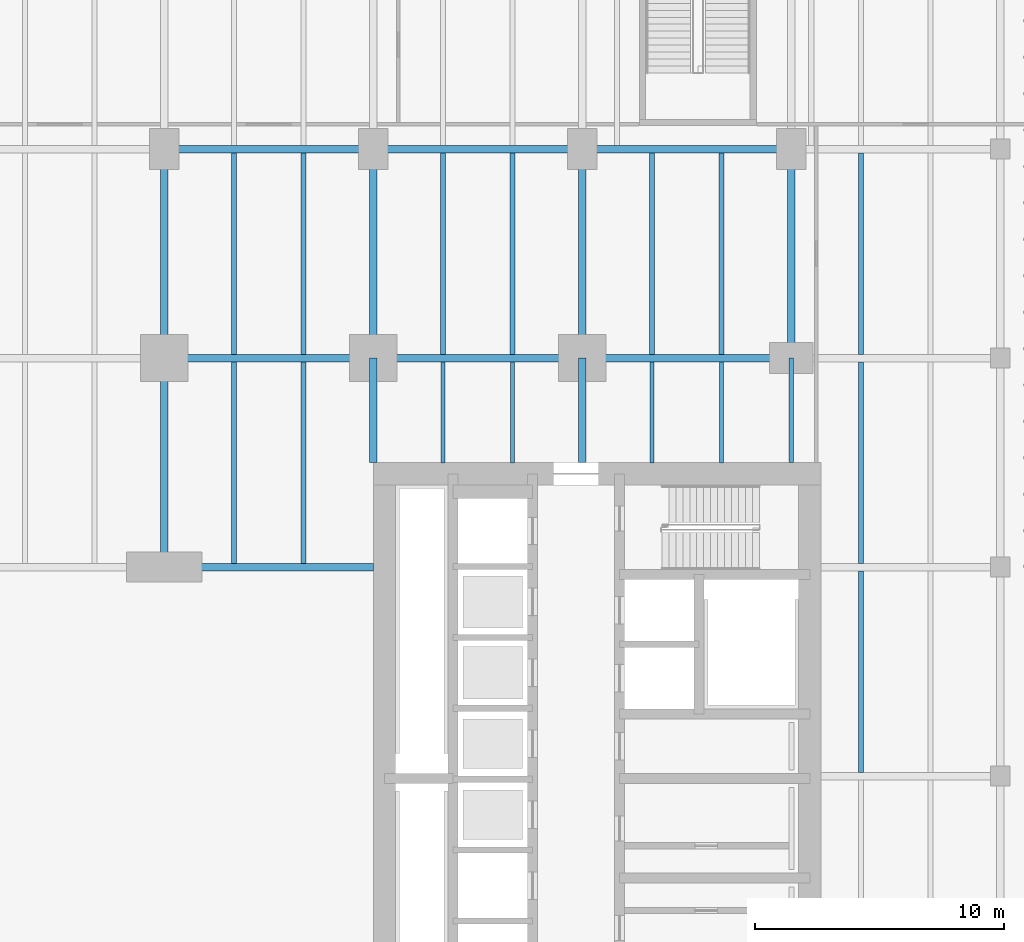
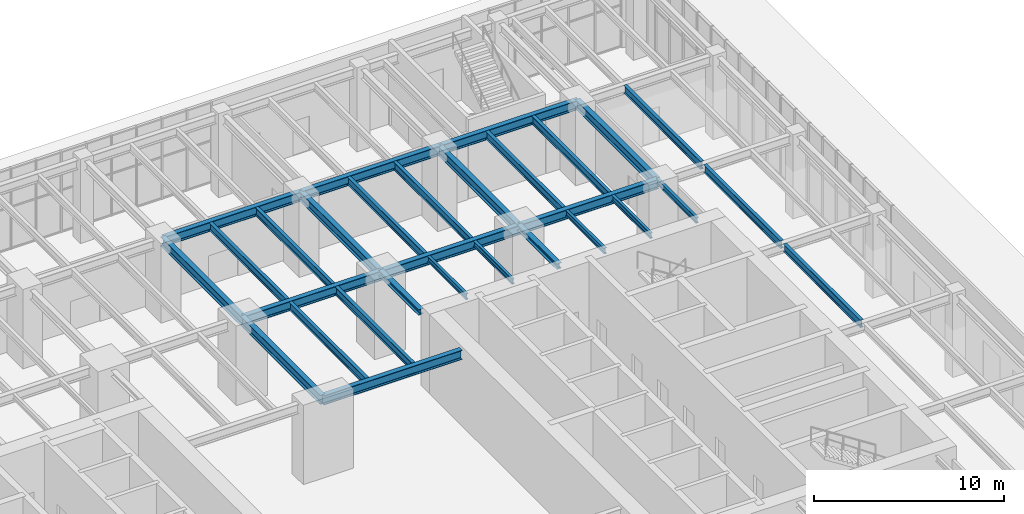
# One storey, part 8 of 31: 30 beams.
"""IFC4 building model written with IfcOpenShell, lengths in metres."""

from ifc_helpers import new_model, si_unit, direction, frame, origin, origin_2d, place, context, subcontext, project, spatial, i_section, extrude, material, material_profile, profile_set, type_object, element, save


model = new_model("IFC4")

# Units and contexts
model_context = context("Model", 3, precision=1e-05, world=origin(), true_north=direction((0.0, 1.0)))
body_context = subcontext(model_context, "Body", "Model", "MODEL_VIEW")
ifc_project = project(units=[si_unit("LENGTHUNIT", "METRE"), si_unit("AREAUNIT", "SQUARE_METRE"), si_unit("VOLUMEUNIT", "CUBIC_METRE"), si_unit("PLANEANGLEUNIT", "RADIAN"), si_unit("MASSUNIT", "GRAM", prefix="KILO")], contexts=[model_context])

# Site, building, storey
site_placement = place(None, origin())
site = spatial("IfcSite", under=ifc_project, at=site_placement, CompositionType="ELEMENT")
building_placement = place(site_placement, origin())
building = spatial("IfcBuilding", under=site, at=building_placement, Name="Claustro Exchange Tower", CompositionType="ELEMENT")
storey_placement = place(building_placement, origin())
storey = spatial("IfcBuildingStorey", under=building, at=storey_placement, Name="L00", CompositionType="ELEMENT", Elevation=0.0)

# Beams
ifc_material_1 = material(Name="Steel S355", Category="steel")
ifc_material_profile_1 = material_profile(ifc_material_1, i_section(OverallWidth=0.300048828125, OverallDepth=0.60009765625, WebThickness=0.015380859375, FlangeThickness=0.030029296875, FilletRadius=0.027099609375, at=origin_2d()), Name="HE 600 B")
ifc_profile_set_1 = profile_set([ifc_material_profile_1], Name="Steel S355")
beam_type_1 = type_object("IfcBeamType", Name="B1 HE 600 B floor girder", PredefinedType="BEAM", material=ifc_profile_set_1)
for number, where, z_axis, x_axis, name in (
    (1, (25.199951171875, 33.60009765625, 4.89990234375), (0.0, 1.0, 0.0), (-1.0, 0.0, 0.0), "Beam B1 L01"),
    (2, (25.199951171875, 42.0, 4.89990234375), (0.0, 1.0, 0.0), (-1.0, 0.0, 0.0), "Beam B1 L01"),
    (3, (33.60009765625, 42.0, 4.89990234375), (0.0, 1.0, 0.0), (-1.0, 0.0, 0.0), "Beam B1 L01"),
    (4, (42.0, 42.0, 4.89990234375), (0.0, 1.0, 0.0), (-1.0, 0.0, 0.0), "Beam B1 L01"),
    (5, (50.39990234375, 42.0, 4.89990234375), (0.0, 1.0, 0.0), (-1.0, 0.0, 0.0), "Beam B1 L01"),
):
    element("IfcBeam", number, at=place(storey_placement, frame(where, z_axis=z_axis, x_axis=x_axis)), inside=storey, type_object=beam_type_1, Name=name, PredefinedType="BEAM", context=body_context, shape_type="SweptSolid", body=[
        extrude(i_section(OverallWidth=0.300048828125, OverallDepth=0.60009765625, WebThickness=0.015380859375, FlangeThickness=0.030029296875, FilletRadius=0.027099609375, at=origin_2d()), origin(), (0.0, 0.0, 1.0), 8.39990234375),
    ])
for number, where, z_axis, x_axis, name in (
    (6, (25.199951171875, 33.60009765625, 4.89990234375), (1.0, 0.0, 0.0), (0.0, 1.0, 0.0), "Beam B1 L01"),
    (7, (25.199951171875, 42.0, 4.89990234375), (1.0, 0.0, 0.0), (0.0, 1.0, 0.0), "Beam B1 L01"),
):
    element("IfcBeam", number, at=place(storey_placement, frame(where, z_axis=z_axis, x_axis=x_axis)), inside=storey, type_object=beam_type_1, Name=name, PredefinedType="BEAM", context=body_context, shape_type="SweptSolid", body=[
        extrude(i_section(OverallWidth=0.300048828125, OverallDepth=0.60009765625, WebThickness=0.015380859375, FlangeThickness=0.030029296875, FilletRadius=0.027099609375, at=origin_2d()), origin(), (0.0, 0.0, 1.0), 8.400146484375),
    ])
for number, where, z_axis, x_axis, name in (
    (8, (33.60009765625, 42.0, 4.89990234375), (1.0, 0.0, 0.0), (0.0, 1.0, 0.0), "Beam B1 L01"),
    (9, (42.0, 42.0, 4.89990234375), (1.0, 0.0, 0.0), (0.0, 1.0, 0.0), "Beam B1 L01"),
):
    element("IfcBeam", number, at=place(storey_placement, frame(where, z_axis=z_axis, x_axis=x_axis)), inside=storey, type_object=beam_type_1, Name=name, PredefinedType="BEAM", context=body_context, shape_type="SweptSolid", body=[
        extrude(i_section(OverallWidth=0.300048828125, OverallDepth=0.60009765625, WebThickness=0.015380859375, FlangeThickness=0.030029296875, FilletRadius=0.027099609375, at=origin_2d()), origin(), (0.0, 0.0, 1.0), 8.39990234375),
    ])
beam_1_placement = place(storey_placement, frame((25.199951171875, 50.39990234375, 4.89990234375), z_axis=(1.0, 0.0, 0.0), x_axis=(0.0, 1.0, 0.0)))
element("IfcBeam", 10, at=beam_1_placement, inside=storey, type_object=beam_type_1, Name="Beam B1 L01", PredefinedType="BEAM", context=body_context, shape_type="SweptSolid", body=[
    extrude(i_section(OverallWidth=0.300048828125, OverallDepth=0.60009765625, WebThickness=0.015380859375, FlangeThickness=0.030029296875, FilletRadius=0.027099609375, at=origin_2d()), origin(), (0.0, 0.0, 1.0), 8.400146484375),
])
for number, where, z_axis, x_axis, name in (
    (11, (33.60009765625, 50.39990234375, 4.89990234375), (1.0, 0.0, 0.0), (0.0, 1.0, 0.0), "Beam B1 L01"),
    (12, (42.0, 50.39990234375, 4.89990234375), (1.0, 0.0, 0.0), (0.0, 1.0, 0.0), "Beam B1 L01"),
):
    element("IfcBeam", number, at=place(storey_placement, frame(where, z_axis=z_axis, x_axis=x_axis)), inside=storey, type_object=beam_type_1, Name=name, PredefinedType="BEAM", context=body_context, shape_type="SweptSolid", body=[
        extrude(i_section(OverallWidth=0.300048828125, OverallDepth=0.60009765625, WebThickness=0.015380859375, FlangeThickness=0.030029296875, FilletRadius=0.027099609375, at=origin_2d()), origin(), (0.0, 0.0, 1.0), 8.39990234375),
    ])
ifc_material_2 = material(Name="Steel S355", Category="steel")
ifc_material_profile_2 = material_profile(ifc_material_2, i_section(OverallWidth=0.169921875, OverallDepth=0.360107421875, WebThickness=0.008056640625, FlangeThickness=0.0126953125, FilletRadius=0.01806640625, at=origin_2d()), Name="IPE 360")
ifc_profile_set_2 = profile_set([ifc_material_profile_2], Name="Steel S355")
beam_type_2 = type_object("IfcBeamType", Name="B16 IPE 360 short-span beam", PredefinedType="BEAM", material=ifc_profile_set_2)
beam_2_placement = place(storey_placement, frame((50.39990234375, 37.800048828125, 5.02001953125), z_axis=(0.0, 1.0, 0.0), x_axis=(-1.0, 0.0, 0.0)))
element("IfcBeam", 13, at=beam_2_placement, inside=storey, type_object=beam_type_2, Name="Beam B16 L01", PredefinedType="BEAM", context=body_context, shape_type="SweptSolid", body=[
    extrude(i_section(OverallWidth=0.169921875, OverallDepth=0.360107421875, WebThickness=0.008056640625, FlangeThickness=0.0126953125, FilletRadius=0.01806640625, at=origin_2d()), origin(), (0.0, 0.0, 1.0), 4.199951171875),
])
for number, where, z_axis, x_axis, name in (
    (14, (36.39990234375, 37.7900390625, 5.02001953125), (0.0, 1.0, 0.0), (-1.0, 0.0, 0.0), "Beam B16 L01"),
    (15, (39.199951171875, 37.7900390625, 5.02001953125), (0.0, 1.0, 0.0), (-1.0, 0.0, 0.0), "Beam B16 L01"),
    (16, (44.800048828125, 37.7900390625, 5.02001953125), (0.0, 1.0, 0.0), (-1.0, 0.0, 0.0), "Beam B16 L01"),
    (17, (47.60009765625, 37.7900390625, 5.02001953125), (0.0, 1.0, 0.0), (-1.0, 0.0, 0.0), "Beam B16 L01"),
):
    element("IfcBeam", number, at=place(storey_placement, frame(where, z_axis=z_axis, x_axis=x_axis)), inside=storey, type_object=beam_type_2, Name=name, PredefinedType="BEAM", context=body_context, shape_type="SweptSolid", body=[
        extrude(i_section(OverallWidth=0.169921875, OverallDepth=0.360107421875, WebThickness=0.008056640625, FlangeThickness=0.0126953125, FilletRadius=0.01806640625, at=origin_2d()), origin(), (0.0, 0.0, 1.0), 4.06005859375),
    ])
ifc_material_3 = material(Name="Steel S355", Category="steel")
ifc_material_profile_3 = material_profile(ifc_material_3, i_section(OverallWidth=0.199951171875, OverallDepth=0.5, WebThickness=0.01025390625, FlangeThickness=0.01611328125, FilletRadius=0.02099609375, at=origin_2d()), Name="IPE 500")
ifc_profile_set_3 = profile_set([ifc_material_profile_3], Name="Steel S355")
beam_type_3 = type_object("IfcBeamType", Name="B2 IPE 500 secondary beam", PredefinedType="BEAM", material=ifc_profile_set_3)
for number, where, z_axis, x_axis, name in (
    (18, (28.0, 33.75, 4.949951171875), (0.0, 1.0, 0.0), (-1.0, 0.0, 0.0), "Beam B2 L01"),
    (19, (30.800048828125, 33.75, 4.949951171875), (0.0, 1.0, 0.0), (-1.0, 0.0, 0.0), "Beam B2 L01"),
    (20, (28.0, 42.14990234375, 4.949951171875), (0.0, 1.0, 0.0), (-1.0, 0.0, 0.0), "Beam B2 L01"),
    (21, (30.800048828125, 42.14990234375, 4.949951171875), (0.0, 1.0, 0.0), (-1.0, 0.0, 0.0), "Beam B2 L01"),
    (22, (36.39990234375, 42.14990234375, 4.949951171875), (0.0, 1.0, 0.0), (-1.0, 0.0, 0.0), "Beam B2 L01"),
    (23, (39.199951171875, 42.14990234375, 4.949951171875), (0.0, 1.0, 0.0), (-1.0, 0.0, 0.0), "Beam B2 L01"),
    (24, (44.800048828125, 42.14990234375, 4.949951171875), (0.0, 1.0, 0.0), (-1.0, 0.0, 0.0), "Beam B2 L01"),
    (25, (47.60009765625, 42.14990234375, 4.949951171875), (0.0, 1.0, 0.0), (-1.0, 0.0, 0.0), "Beam B2 L01"),
):
    element("IfcBeam", number, at=place(storey_placement, frame(where, z_axis=z_axis, x_axis=x_axis)), inside=storey, type_object=beam_type_3, Name=name, PredefinedType="BEAM", context=body_context, shape_type="SweptSolid", body=[
        extrude(i_section(OverallWidth=0.199951171875, OverallDepth=0.5, WebThickness=0.01025390625, FlangeThickness=0.01611328125, FilletRadius=0.02099609375, at=origin_2d()), origin(), (0.0, 0.0, 1.0), 8.10009765625),
    ])
beam_3_placement = place(storey_placement, frame((53.199951171875, 25.35009765625, 4.949951171875), z_axis=(0.0, 1.0, 0.0), x_axis=(-1.0, 0.0, 0.0)))
element("IfcBeam", 26, at=beam_3_placement, inside=storey, type_object=beam_type_3, Name="Beam B2 L01", PredefinedType="BEAM", context=body_context, shape_type="SweptSolid", body=[
    extrude(i_section(OverallWidth=0.199951171875, OverallDepth=0.5, WebThickness=0.01025390625, FlangeThickness=0.01611328125, FilletRadius=0.02099609375, at=origin_2d()), origin(), (0.0, 0.0, 1.0), 8.099853515625),
])
for number, where, z_axis, x_axis, name in (
    (27, (53.199951171875, 33.75, 4.949951171875), (0.0, 1.0, 0.0), (-1.0, 0.0, 0.0), "Beam B2 L01"),
    (28, (53.199951171875, 42.14990234375, 4.949951171875), (0.0, 1.0, 0.0), (-1.0, 0.0, 0.0), "Beam B2 L01"),
):
    element("IfcBeam", number, at=place(storey_placement, frame(where, z_axis=z_axis, x_axis=x_axis)), inside=storey, type_object=beam_type_3, Name=name, PredefinedType="BEAM", context=body_context, shape_type="SweptSolid", body=[
        extrude(i_section(OverallWidth=0.199951171875, OverallDepth=0.5, WebThickness=0.01025390625, FlangeThickness=0.01611328125, FilletRadius=0.02099609375, at=origin_2d()), origin(), (0.0, 0.0, 1.0), 8.10009765625),
    ])
ifc_material_4 = material(Name="Steel S355", Category="steel")
ifc_material_profile_4 = material_profile(ifc_material_4, i_section(OverallWidth=0.300048828125, OverallDepth=0.360107421875, WebThickness=0.012451171875, FlangeThickness=0.0224609375, FilletRadius=0.027099609375, at=origin_2d()), Name="HE 360 B")
ifc_profile_set_4 = profile_set([ifc_material_profile_4], Name="Steel S355")
beam_type_4 = type_object("IfcBeamType", Name="B29 HE 360 B column to core link beam", PredefinedType="BEAM", material=ifc_profile_set_4)
for number, where, z_axis, x_axis, name in (
    (29, (33.60009765625, 37.800048828125, 5.02001953125), (0.0, 1.0, 0.0), (-1.0, 0.0, 0.0), "Beam B29 L01"),
    (30, (42.0, 37.800048828125, 5.02001953125), (0.0, 1.0, 0.0), (-1.0, 0.0, 0.0), "Beam B29 L01"),
):
    element("IfcBeam", number, at=place(storey_placement, frame(where, z_axis=z_axis, x_axis=x_axis)), inside=storey, type_object=beam_type_4, Name=name, PredefinedType="BEAM", context=body_context, shape_type="SweptSolid", body=[
        extrude(i_section(OverallWidth=0.300048828125, OverallDepth=0.360107421875, WebThickness=0.012451171875, FlangeThickness=0.0224609375, FilletRadius=0.027099609375, at=origin_2d()), origin(), (0.0, 0.0, 1.0), 4.199951171875),
    ])

save(model, "model.ifc")
